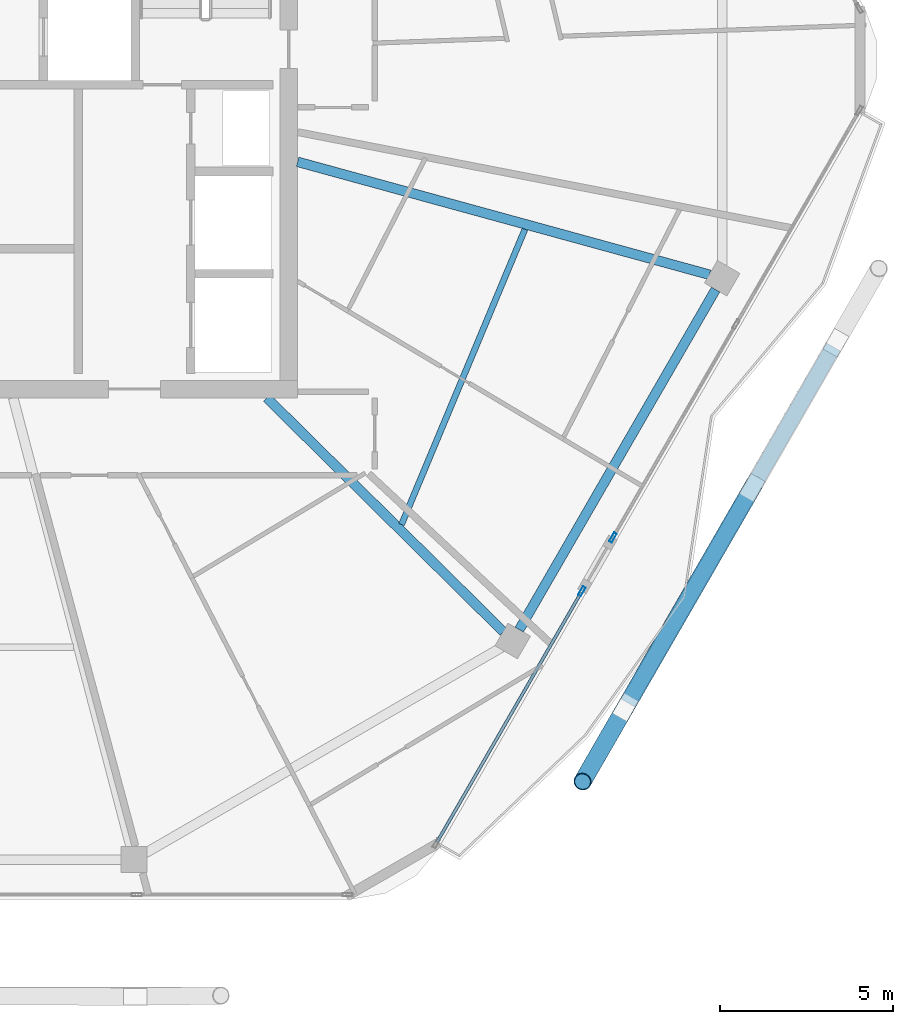
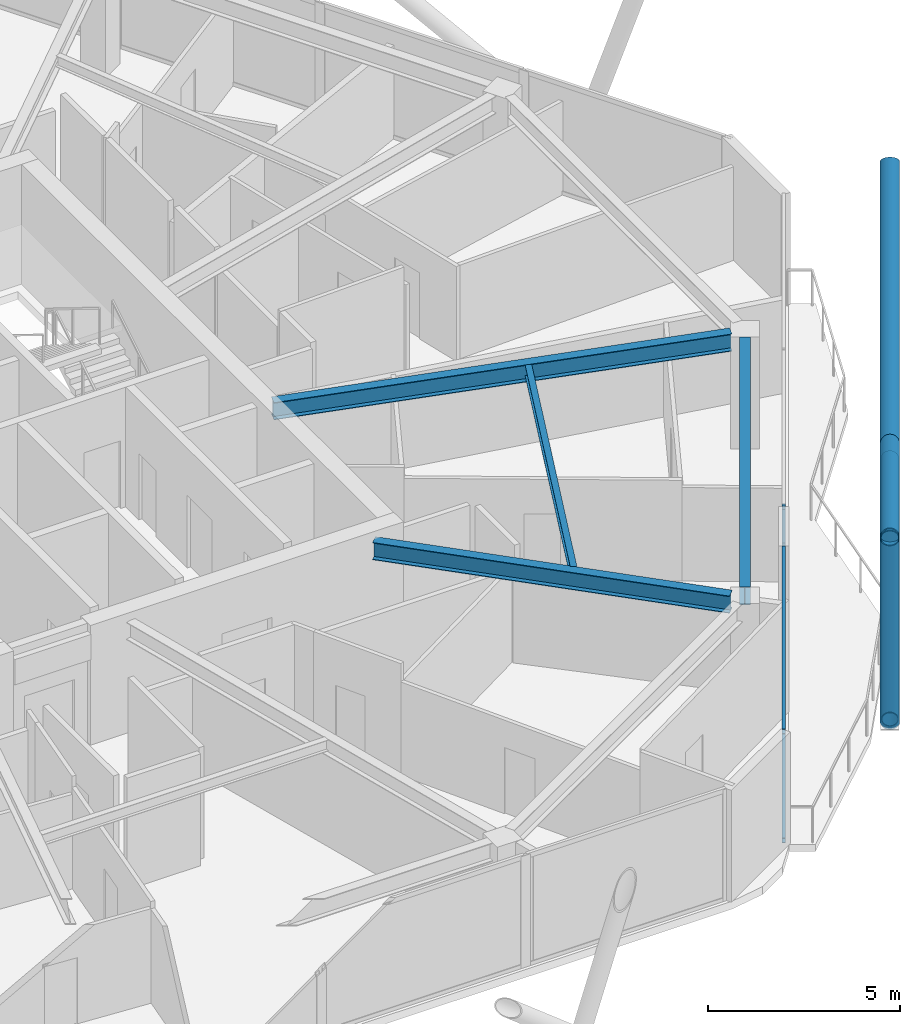
# One storey, part 8 of 24: 8 members, 4 beams, 2 elements without a shape of their own.
"""IFC4 building model written with IfcOpenShell, lengths in metres."""

import ifcopenshell
import ifcopenshell.guid

model = None  # the IFC model being written
_history = None  # IfcOwnerHistory: only IFC2X3 demands one
_inside = {}  # id of a spatial element -> (the spatial element, [elements in it])
_under = {}  # id of a project, library or spatial element -> (it, [spatial elements below it])
_declared = {}  # id of a project -> (the project, [libraries it declares])
_typed = {}  # id of a type object -> (the type object, [elements of that type])
_made_of = {}  # id of a material, layer set ... -> (it, [elements and type objects made of it])


def new_model(schema):
    """Start an empty IFC model of exactly this schema.

    Asked for "IFC4X3", IfcOpenShell would pick the latest addendum, in which some entities
    have other attributes; the version numbers below select the first issue.
    IFC2X3 requires an IfcOwnerHistory on every rooted entity: one is made here for all.
    """
    global model, _history
    if schema == "IFC4X3":
        model = ifcopenshell.file(schema_version=(4, 3, 0, 0))
    else:
        model = ifcopenshell.file(schema=schema)
    _inside.clear()
    _under.clear()
    _declared.clear()
    _typed.clear()
    _made_of.clear()
    _history = None
    if model.schema == "IFC2X3":
        org = make("IfcOrganization", Name="unknown")
        user = make(
            "IfcPersonAndOrganization",
            ThePerson=make("IfcPerson", FamilyName="unknown"),
            TheOrganization=org,
        )
        app = make(
            "IfcApplication",
            ApplicationDeveloper=org,
            Version="unknown",
            ApplicationFullName="unknown",
            ApplicationIdentifier="unknown",
        )
        _history = make(
            "IfcOwnerHistory",
            OwningUser=user,
            OwningApplication=app,
            ChangeAction="ADDED",
            CreationDate=0,
        )
    return model


def make(cls, **values):
    """One entity of the class cls with the attributes given. An attribute that is None is left unset."""
    return model.create_entity(
        cls, **{name: value for name, value in values.items() if value is not None}
    )


def rooted(cls, **values):
    """An entity with a GlobalId (a new one), such as an element, a storey or a relation."""
    return make(cls, GlobalId=ifcopenshell.guid.new(), OwnerHistory=_history, **values)


def si_unit(unit_type, name, prefix=None):
    """IfcSIUnit, for example si_unit("LENGTHUNIT", "METRE", prefix="MILLI")."""
    return make("IfcSIUnit", UnitType=unit_type, Prefix=prefix, Name=name)


def assignment(units):
    """IfcUnitAssignment: the units of a project."""
    return None if units is None else make("IfcUnitAssignment", Units=units)


def point(xyz):
    """IfcCartesianPoint."""
    return None if xyz is None else make("IfcCartesianPoint", Coordinates=xyz)


def direction(xyz):
    """IfcDirection."""
    return None if xyz is None else make("IfcDirection", DirectionRatios=xyz)


def frame(location, z_axis=None, x_axis=None):
    """IfcAxis2Placement3D, a coordinate frame: its origin and axes. An axis left out is left unset."""
    return make(
        "IfcAxis2Placement3D",
        Location=point(location),
        Axis=direction(z_axis),
        RefDirection=direction(x_axis),
    )


def frame_2d(location, x_axis=None):
    """IfcAxis2Placement2D, a coordinate frame in the plane: its origin and x axis."""
    return make(
        "IfcAxis2Placement2D", Location=point(location), RefDirection=direction(x_axis)
    )


def origin():
    """The frame at (0, 0, 0) with its axes left unset."""
    return frame((0.0, 0.0, 0.0))


def origin_2d():
    """The frame at (0, 0) in the plane with its x axis left unset."""
    return frame_2d((0.0, 0.0))


def place(relative_to, where):
    """IfcLocalPlacement: puts the frame where relative to a parent placement (None: the world)."""
    return make(
        "IfcLocalPlacement", PlacementRelTo=relative_to, RelativePlacement=where
    )


def context(
    kind, dimensions, precision=None, world=None, true_north=None, identifier=None
):
    """IfcGeometricRepresentationContext, for example the 3D "Model" context."""
    return make(
        "IfcGeometricRepresentationContext",
        ContextIdentifier=identifier,
        ContextType=kind,
        CoordinateSpaceDimension=dimensions,
        Precision=precision,
        WorldCoordinateSystem=world,
        TrueNorth=true_north,
    )


def subcontext(parent, identifier, kind, view, scale=None):
    """IfcGeometricRepresentationSubContext, for example "Body" below "Model"."""
    return make(
        "IfcGeometricRepresentationSubContext",
        ContextIdentifier=identifier,
        ContextType=kind,
        ParentContext=parent,
        TargetScale=scale,
        TargetView=view,
    )


def project(units=None, contexts=None):
    """IfcProject with its units and contexts."""
    return rooted(
        "IfcProject",
        Name="project",
        RepresentationContexts=contexts,
        UnitsInContext=assignment(units),
    )


def spatial(cls, under=None, at=None, **own):
    """A site, building, storey or space (cls), placed at a placement, below another one or the project."""
    s = rooted(cls, ObjectPlacement=at, **own)
    if under is not None:
        _under.setdefault(under.id(), (under, []))[1].append(s)
    return s


def profile(cls, at=None, kind="AREA", **sizes):
    """A parametric profile (cls). Its sizes go by their IFC names, for example OverallWidth=200.0."""
    return make(cls, ProfileType=kind, Position=at, **sizes)


def hollow_rectangle(**sizes):
    """IfcRectangleHollowProfileDef."""
    return profile("IfcRectangleHollowProfileDef", **sizes)


def hollow_circle(**sizes):
    """IfcCircleHollowProfileDef."""
    return profile("IfcCircleHollowProfileDef", **sizes)


def i_section(**sizes):
    """IfcIShapeProfileDef."""
    return profile("IfcIShapeProfileDef", **sizes)


def extrude(swept, where, along, depth):
    """IfcExtrudedAreaSolid: the profile swept, set in the frame where, extruded along a direction by depth."""
    return make(
        "IfcExtrudedAreaSolid",
        SweptArea=swept,
        Position=where,
        ExtrudedDirection=direction(along),
        Depth=depth,
    )


def shape(context_of_items, identifier, shape_type, items):
    """IfcShapeRepresentation: the items that make up one representation, for example the "Body"."""
    return make(
        "IfcShapeRepresentation",
        ContextOfItems=context_of_items,
        RepresentationIdentifier=identifier,
        RepresentationType=shape_type,
        Items=items,
    )


def material(Name=None, Category=None):
    """IfcMaterial."""
    return make("IfcMaterial", Name=Name, Category=Category)


def material_profile(
    of_material, cross_section, Name=None, Category=None, Priority=None
):
    """IfcMaterialProfile: a cross section and its material."""
    return make(
        "IfcMaterialProfile",
        Name=Name,
        Material=of_material,
        Profile=cross_section,
        Priority=Priority,
        Category=Category,
    )


def profile_set(profiles, Name=None, composite=None):
    """IfcMaterialProfileSet."""
    return make(
        "IfcMaterialProfileSet",
        Name=Name,
        MaterialProfiles=profiles,
        CompositeProfile=composite,
    )


def made_of(thing, what):
    """Note that an element or type object is made of a material, layer set ...; save() writes the relation."""
    if what is not None:
        _made_of.setdefault(what.id(), (what, []))[1].append(thing)
    return thing


def type_object(cls, material=None, **own):
    """A type object (cls), such as IfcWallType, which elements share."""
    return made_of(rooted(cls, **own), material)


def element(
    cls,
    number,
    at=None,
    inside=None,
    cuts=None,
    type_object=None,
    material=None,
    context=None,
    identifier="Body",
    shape_type=None,
    held_by="IfcProductDefinitionShape",
    body=None,
    shapes=None,
    **own,
):
    """One element of the class cls, such as IfcWall. Its Tag is "e" and its number.

    at: its placement. inside: the storey or other place that contains it. cuts: it is an
    opening in that element (IfcRelVoidsElement). A single representation is given by context,
    identifier, shape_type and body (its items); several are given by shapes. held_by: the class
    of the entity that holds the representations. save() writes the other relations.
    """
    e = rooted(cls, Tag="e%d" % number, ObjectPlacement=at, **own)
    if body is not None:
        shapes = [shape(context, identifier, shape_type, body)]
    if shapes is not None:
        e.Representation = make(held_by, Representations=shapes)
    if inside is not None:
        _inside.setdefault(inside.id(), (inside, []))[1].append(e)
    if cuts is not None:
        rooted(
            "IfcRelVoidsElement", RelatingBuildingElement=cuts, RelatedOpeningElement=e
        )
    if type_object is not None:
        _typed.setdefault(type_object.id(), (type_object, []))[1].append(e)
    return made_of(e, material)


def aggregate(whole, parts):
    """IfcRelAggregates: a whole, such as a stair, and the parts it consists of."""
    return rooted("IfcRelAggregates", RelatingObject=whole, RelatedObjects=parts)


def save(model, path):
    """Write the relations noted so far, then the file.

    IfcRelAggregates (storeys below a building ...), IfcRelContainedInSpatialStructure (elements
    in a storey), IfcRelDefinesByType, IfcRelAssociatesMaterial and IfcRelDeclares: one each for
    every whole, place, type object, material and project.
    """
    for whole, parts in _under.values():
        aggregate(whole, parts)
    for where, things in _inside.values():
        rooted(
            "IfcRelContainedInSpatialStructure",
            RelatedElements=things,
            RelatingStructure=where,
        )
    for kind, things in _typed.values():
        rooted("IfcRelDefinesByType", RelatedObjects=things, RelatingType=kind)
    for what, things in _made_of.values():
        rooted("IfcRelAssociatesMaterial", RelatedObjects=things, RelatingMaterial=what)
    for by, libraries in _declared.values():
        rooted("IfcRelDeclares", RelatingContext=by, RelatedDefinitions=libraries)
    model.write(path)


model = new_model("IFC4")

# Units and contexts
model_context = context("Model", 3, precision=1e-05, world=origin(), true_north=direction((0.0, 1.0)))
body_context = subcontext(model_context, "Body", "Model", "MODEL_VIEW")
ifc_project = project(units=[si_unit("LENGTHUNIT", "METRE"), si_unit("AREAUNIT", "SQUARE_METRE"), si_unit("VOLUMEUNIT", "CUBIC_METRE"), si_unit("PLANEANGLEUNIT", "RADIAN"), si_unit("MASSUNIT", "GRAM", prefix="KILO")], contexts=[model_context])

# Site, building, storey
site_placement = place(None, origin())
site = spatial("IfcSite", under=ifc_project, at=site_placement, CompositionType="ELEMENT")
building_placement = place(site_placement, origin())
building = spatial("IfcBuilding", under=site, at=building_placement, Name="Zuhravey Tower", CompositionType="ELEMENT")
storey_placement = place(building_placement, frame((0.0, 0.0, 338.60009765625)))
storey = spatial("IfcBuildingStorey", under=building, at=storey_placement, Name="L86", CompositionType="ELEMENT", Elevation=338.60009765625)

# Curtain wall, member
ifc_material_1 = material(Name="Thermally broken anodised aluminium", Category="aluminium")
curtain_wall_type = type_object("IfcCurtainWallType", Name="Zone 3-4 High-Rise Curtain Wall CW4", PredefinedType="NOTDEFINED", material=ifc_material_1)
curtain_wall_1_placement = place(storey_placement, origin())
curtain_wall_1 = element("IfcCurtainWall", 1, at=curtain_wall_1_placement, inside=storey, type_object=curtain_wall_type, Name="L86 CW4 CW-L86-F6-1", PredefinedType="NOTDEFINED")
ifc_material_2 = material(Name="Anodised aluminium", Category="aluminium")
ifc_material_profile_1 = material_profile(ifc_material_2, hollow_rectangle(XDim=0.090087890625, YDim=0.284912109375, WallThickness=0.0048828125, at=origin_2d()), Name="ALU-RHS-90x285x5")
ifc_profile_set_1 = profile_set([ifc_material_profile_1], Name="Anodised aluminium")
member_type_1 = type_object("IfcMemberType", Name="Curtain-Wall Mullion 90x180", PredefinedType="MULLION", material=ifc_profile_set_1)
member_1_placement = place(storey_placement, frame((55.843505859375, 18.2216796875, 0.0), z_axis=(0.0, 0.0, 1.0), x_axis=(0.86602610435, -0.499998786583, 0.0)))
member_1 = element("IfcMember", 2, at=member_1_placement, type_object=member_type_1, Name="CW4 mullion 3", PredefinedType="MULLION", context=body_context, shape_type="SweptSolid", body=[
    extrude(hollow_rectangle(XDim=0.090087890625, YDim=0.284912109375, WallThickness=0.0048828125, at=origin_2d()), origin(), (0.0, 0.0, 1.0), 3.5498046875),
])
aggregate(curtain_wall_1, [member_1])

# Curtain wall, members
curtain_wall_2_placement = place(storey_placement, origin())
curtain_wall_2 = element("IfcCurtainWall", 3, at=curtain_wall_2_placement, inside=storey, type_object=curtain_wall_type, Name="L86 CW4 CW-L86-F6-2", PredefinedType="NOTDEFINED")
member_2_placement = place(storey_placement, frame((54.948486328125, 16.671630859375, 0.0), z_axis=(0.0, 0.0, 1.0), x_axis=(0.866025806885, -0.499999301808, 0.0)))
member_2 = element("IfcMember", 4, at=member_2_placement, type_object=member_type_1, Name="CW4 mullion 1", PredefinedType="MULLION", context=body_context, shape_type="SweptSolid", body=[
    extrude(hollow_rectangle(XDim=0.090087890625, YDim=0.284912109375, WallThickness=0.0048828125, at=origin_2d()), origin(), (0.0, 0.0, 1.0), 3.5498046875),
])
ifc_material_profile_2 = material_profile(ifc_material_2, hollow_rectangle(XDim=0.090087890625, YDim=0.14990234375, WallThickness=0.0048828125, at=origin_2d()), Name="ALU-RHS-90x150x5")
ifc_profile_set_2 = profile_set([ifc_material_profile_2], Name="Anodised aluminium")
member_type_2 = type_object("IfcMemberType", Name="Curtain-Wall Transom 90x150", PredefinedType="USERDEFINED", material=ifc_profile_set_2)
member_3_placement = place(storey_placement, frame((54.926025390625, 16.632568359375, 0.044921875), z_axis=(-0.500003259625, -0.866023521831, 0.0), x_axis=(0.866023521831, -0.500003259625, 0.0)))
member_3 = element("IfcMember", 5, at=member_3_placement, type_object=member_type_2, Name="CW4 transom 1.1", ObjectType="TRANSOM", PredefinedType="USERDEFINED", context=body_context, shape_type="SweptSolid", body=[
    extrude(hollow_rectangle(XDim=0.090087890625, YDim=0.14990234375, WallThickness=0.0048828125, at=origin_2d()), origin(), (0.0, 0.0, 1.0), 8.3037109375),
])
member_4_placement = place(storey_placement, frame((54.926025390625, 16.632568359375, 3.5048828125), z_axis=(-0.500003259625, -0.866023521831, 0.0), x_axis=(0.866023521831, -0.500003259625, 0.0)))
member_4 = element("IfcMember", 6, at=member_4_placement, type_object=member_type_2, Name="CW4 transom 1.2", ObjectType="TRANSOM", PredefinedType="USERDEFINED", context=body_context, shape_type="SweptSolid", body=[
    extrude(hollow_rectangle(XDim=0.090087890625, YDim=0.14990234375, WallThickness=0.0048828125, at=origin_2d()), origin(), (0.0, 0.0, 1.0), 8.3037109375),
])
aggregate(curtain_wall_2, [member_2, member_3, member_4])

# Members
ifc_material_3 = material(Name="Steel SM355", Category="steel")
ifc_material_profile_3 = material_profile(ifc_material_3, hollow_circle(Radius=0.228515625, WallThickness=0.02197265625, at=origin_2d()), Name="CHS-457.2x22")
ifc_profile_set_3 = profile_set([ifc_material_profile_3], Name="Steel SM355")
member_type_3 = type_object("IfcMemberType", Name="Exoskeleton Ring Tie CHS457x22", PredefinedType="CHORD", material=ifc_profile_set_3)
member_5_placement = place(storey_placement, frame((56.275390625, 13.44970703125, -0.464111328125), z_axis=(0.499988670204, 0.866031944946, 0.0), x_axis=(-0.866031944946, 0.499988670204, 0.0)))
element("IfcMember", 7, at=member_5_placement, inside=storey, type_object=member_type_3, Name="L86 Exoskeleton Face 6 Tie EXR1", PredefinedType="CHORD", context=body_context, shape_type="SweptSolid", body=[
    extrude(hollow_circle(Radius=0.228515625, WallThickness=0.02197265625, at=origin_2d()), origin(), (0.0, 0.0, 1.0), 11.854736328125),
])
ifc_material_profile_4 = material_profile(ifc_material_3, hollow_circle(Radius=0.25390625, WallThickness=0.02490234375, at=origin_2d()), Name="CHS-508.0x25")
ifc_profile_set_4 = profile_set([ifc_material_profile_4], Name="Steel SM355")
member_type_4 = type_object("IfcMemberType", Name="Exoskeleton Zone 4 Diagrid CHS508x25", PredefinedType="BRACE", material=ifc_profile_set_4)
member_6_placement = place(storey_placement, frame((56.20263671875, 13.323974609375, -0.447998046875), z_axis=(-0.155230970352, -0.268878930867, 0.950582698338), x_axis=(0.866034263809, -0.499984653673, 0.0)))
element("IfcMember", 8, at=member_6_placement, inside=storey, type_object=member_type_4, Name="L86 Face 6 Diagrid Brace 1", PredefinedType="BRACE", context=body_context, shape_type="SweptSolid", body=[
    extrude(hollow_circle(Radius=0.25390625, WallThickness=0.02490234375, at=origin_2d()), origin(), (0.0, 0.0, 1.0), 7.961181640625),
])
member_7_placement = place(storey_placement, frame((56.220703125, 13.35498046875, -0.447998046875), z_axis=(0.443612052224, 0.768377922118, 0.461306531411), x_axis=(-0.866030844425, 0.499990576415, 0.0)))
element("IfcMember", 9, at=member_7_placement, inside=storey, type_object=member_type_4, Name="L86 Face 6 Diagrid Brace 2", PredefinedType="BRACE", context=body_context, shape_type="SweptSolid", body=[
    extrude(hollow_circle(Radius=0.25390625, WallThickness=0.02490234375, at=origin_2d()), origin(), (0.0, 0.0, 1.0), 16.4052734375),
])
member_8_placement = place(storey_placement, frame((59.745849609375, 19.460693359375, 3.424072265625), z_axis=(-0.466120096099, -0.80734608376, 0.36183470957), x_axis=(0.866026046022, -0.49999888761, 0.0)))
element("IfcMember", 10, at=member_8_placement, inside=storey, type_object=member_type_4, Name="L86 Face 6 Split Diagrid Brace 3B", PredefinedType="BRACE", context=body_context, shape_type="SweptSolid", body=[
    extrude(hollow_circle(Radius=0.25390625, WallThickness=0.02490234375, at=origin_2d()), origin(), (0.0, 0.0, 1.0), 10.223388671875),
])

# Beams
ifc_material_profile_5 = material_profile(ifc_material_3, i_section(OverallWidth=0.280029296875, OverallDepth=0.580078125, WebThickness=0.011962890625, FlangeThickness=0.01904296875, at=origin_2d()), Name="H-580x280x12x19")
ifc_profile_set_5 = profile_set([ifc_material_profile_5], Name="Steel SM355")
beam_type_1 = type_object("IfcBeamType", Name="Perimeter Ring Beam H580x280", PredefinedType="BEAM", material=ifc_profile_set_5)
beam_1_placement = place(storey_placement, frame((53.143798828125, 15.565673828125, 3.260009765625), z_axis=(0.499993743963, 0.866029015679, 0.0), x_axis=(-0.866029015679, 0.499993743963, 0.0)))
element("IfcBeam", 11, at=beam_1_placement, inside=storey, type_object=beam_type_1, Name="L86 PB4 BM-L86-PB-11", PredefinedType="BEAM", context=body_context, shape_type="SweptSolid", body=[
    extrude(i_section(OverallWidth=0.280029296875, OverallDepth=0.580078125, WebThickness=0.011962890625, FlangeThickness=0.01904296875, at=origin_2d()), origin(), (0.0, 0.0, 1.0), 11.321533203125),
])
ifc_material_profile_6 = material_profile(ifc_material_3, i_section(OverallWidth=0.280029296875, OverallDepth=0.550048828125, WebThickness=0.010986328125, FlangeThickness=0.01806640625, at=origin_2d()), Name="H-550x280x11x18")
ifc_profile_set_6 = profile_set([ifc_material_profile_6], Name="Steel SM355")
beam_type_2 = type_object("IfcBeamType", Name="Radial Primary Girder H550x280", PredefinedType="BEAM", material=ifc_profile_set_6)
beam_2_placement = place(storey_placement, frame((45.865234375, 22.2470703125, 3.27490234375), z_axis=(0.711142578304, -0.703047817238, 0.0), x_axis=(0.703047817238, 0.711142578304, 0.0)))
element("IfcBeam", 12, at=beam_2_placement, inside=storey, type_object=beam_type_2, Name="L86 RG4 BM-L86-RAD-11", PredefinedType="BEAM", context=body_context, shape_type="SweptSolid", body=[
    extrude(i_section(OverallWidth=0.280029296875, OverallDepth=0.550048828125, WebThickness=0.010986328125, FlangeThickness=0.01806640625, at=origin_2d()), origin(), (0.0, 0.0, 1.0), 9.591064453125),
])
beam_3_placement = place(storey_placement, frame((46.7529296875, 29.052734375, 3.27490234375), z_axis=(0.964428588077, -0.264343523658, 0.0), x_axis=(0.264343523658, 0.964428588077, 0.0)))
element("IfcBeam", 13, at=beam_3_placement, inside=storey, type_object=beam_type_2, Name="L86 RG4 BM-L86-RAD-12", PredefinedType="BEAM", context=body_context, shape_type="SweptSolid", body=[
    extrude(i_section(OverallWidth=0.280029296875, OverallDepth=0.550048828125, WebThickness=0.010986328125, FlangeThickness=0.01806640625, at=origin_2d()), origin(), (0.0, 0.0, 1.0), 12.31396484375),
])
ifc_material_profile_7 = material_profile(ifc_material_3, i_section(OverallWidth=0.175048828125, OverallDepth=0.35009765625, WebThickness=0.007080078125, FlangeThickness=0.010986328125, at=origin_2d()), Name="H-350x175x7x11")
ifc_profile_set_7 = profile_set([ifc_material_profile_7], Name="Steel SM355")
beam_type_3 = type_object("IfcBeamType", Name="Secondary Floor Joist H350x175", PredefinedType="JOIST", material=ifc_profile_set_7)
beam_4_placement = place(storey_placement, frame((49.7490234375, 18.59521484375, 3.375), z_axis=(0.385657891576, 0.922641853953, 0.0), x_axis=(-0.922641853953, 0.385657891576, 0.0)))
element("IfcBeam", 14, at=beam_4_placement, inside=storey, type_object=beam_type_3, Name="L86 SJ3 BM-L86-SJ-11-1", PredefinedType="JOIST", context=body_context, shape_type="SweptSolid", body=[
    extrude(i_section(OverallWidth=0.175048828125, OverallDepth=0.35009765625, WebThickness=0.007080078125, FlangeThickness=0.010986328125, at=origin_2d()), origin(), (0.0, 0.0, 1.0), 9.226806640625),
])

save(model, "model.ifc")
